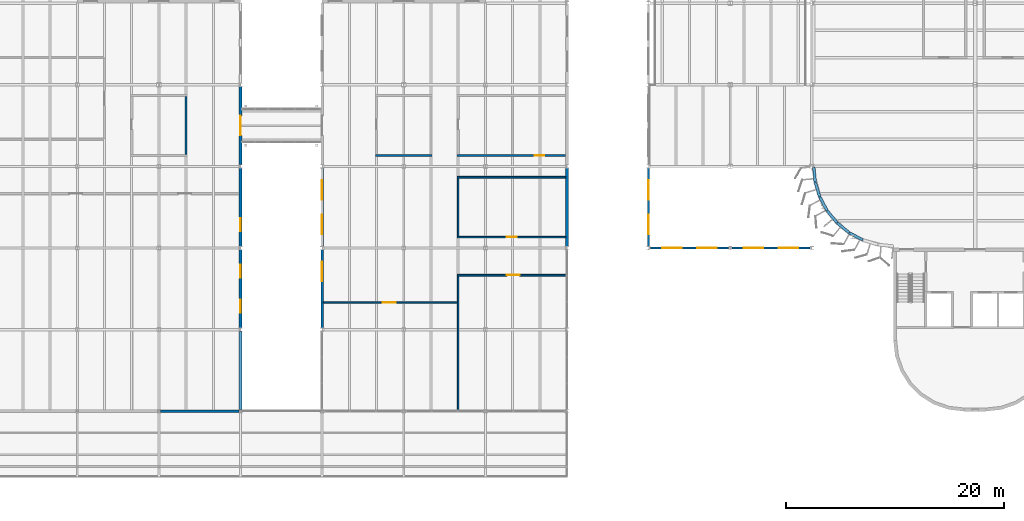
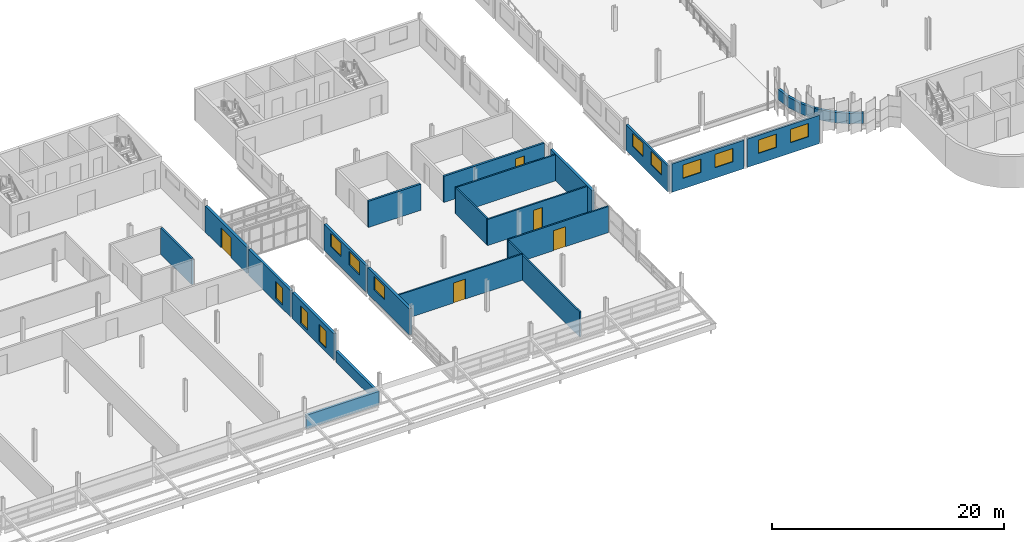
# One storey, part 72 of 214: 26 walls, 12 windows, 5 doors, 17 openings.
"""IFC4 building model written with IfcOpenShell, lengths in metres."""

from ifc_helpers import new_model, si_unit, direction, frame, frame_2d, origin, place, context, subcontext, project, spatial, rectangle, extrude, material, layer, layer_set, type_object, element, fill, save


model = new_model("IFC4")

# Units and contexts
model_context = context("Model", 3, precision=1e-05, world=origin(), true_north=direction((0.0, 1.0)))
body_context = subcontext(model_context, "Body", "Model", "MODEL_VIEW")
ifc_project = project(units=[si_unit("LENGTHUNIT", "METRE"), si_unit("AREAUNIT", "SQUARE_METRE"), si_unit("VOLUMEUNIT", "CUBIC_METRE"), si_unit("PLANEANGLEUNIT", "RADIAN"), si_unit("MASSUNIT", "GRAM", prefix="KILO")], contexts=[model_context])

# Site, building, storey
site_placement = place(None, origin())
site = spatial("IfcSite", under=ifc_project, at=site_placement, CompositionType="ELEMENT")
building_placement = place(site_placement, origin())
building = spatial("IfcBuilding", under=site, at=building_placement, Name="Parallax Yard Mobility Hub", CompositionType="ELEMENT")
storey_placement = place(building_placement, frame((0.0, 0.0, 3.300048828125)))
storey = spatial("IfcBuildingStorey", under=building, at=storey_placement, Name="L01", CompositionType="ELEMENT", Elevation=3.300048828125)

# Walls
ifc_material_1 = material(Name="Concrete fc' 35 MPa", Category="concrete")
ifc_layer_1 = layer(ifc_material_1, 0.25)
ifc_layer_set_1 = layer_set([ifc_layer_1], Name="Deck-edge barrier wall, Concrete fc' 35 MPa precast, 250")
wall_type_1 = type_object("IfcWallType", Name="Deck-edge barrier wall, Concrete fc' 35 MPa precast, 250", PredefinedType="SOLIDWALL", material=ifc_layer_set_1)
wall_1_placement = place(storey_placement, frame((195.177978515625, 29.91796875, 0.0), z_axis=(0.0, 0.0, 1.0), x_axis=(0.097900088064, -0.995196248364, 0.0)))
element("IfcWall", 1, at=wall_1_placement, inside=storey, type_object=wall_type_1, Name="Deck-edge barrier wall bay 30-1 level L01", PredefinedType="SOLIDWALL", context=body_context, shape_type="SweptSolid", body=[
    extrude(rectangle(XDim=1.341552734375, YDim=0.25, at=frame_2d((0.6708984375, 0.0))), origin(), (0.0, 0.0, 1.0), 1.099853515625),
])
for number, where, z_axis, x_axis, name in (
    (2, (195.314208984375, 28.55810546875, 0.0), (0.0, 0.0, 1.0), (0.29031469913, -0.956931228182, 0.0), "Deck-edge barrier wall bay 30-2 level L01"),
    (3, (195.7333984375, 27.1845703125, 0.0), (0.0, 0.0, 1.0), (0.471270543536, -0.88198870446, 0.0), "Deck-edge barrier wall bay 30-3 level L01"),
    (4, (196.41259765625, 25.919189453125, 0.0), (0.0, 0.0, 1.0), (0.634123039097, -0.773232158725, 0.0), "Deck-edge barrier wall bay 30-4 level L01"),
    (5, (197.3251953125, 24.810302734375, 0.0), (0.0, 0.0, 1.0), (0.772838376531, -0.634602902421, 0.0), "Deck-edge barrier wall bay 30-5 level L01"),
    (6, (198.4365234375, 23.90087890625, 0.0), (0.0, 0.0, 1.0), (0.881806393936, -0.471611581297, 0.0), "Deck-edge barrier wall bay 30-6 level L01"),
):
    element("IfcWall", number, at=place(storey_placement, frame(where, z_axis=z_axis, x_axis=x_axis)), inside=storey, type_object=wall_type_1, Name=name, PredefinedType="SOLIDWALL", context=body_context, shape_type="SweptSolid", body=[
        extrude(rectangle(XDim=1.4111328125, YDim=0.25, at=frame_2d((0.70556640625, 0.0))), origin(), (0.0, 0.0, 1.0), 1.099853515625),
    ])
ifc_layer_2 = layer(ifc_material_1, 0.25)
ifc_layer_set_2 = layer_set([ifc_layer_2], Name="Exterior wall, Concrete fc' 35 MPa precast, 250 with insulation lining")
wall_type_2 = type_object("IfcWallType", Name="Exterior wall, Concrete fc' 35 MPa precast, 250 with insulation lining", PredefinedType="SOLIDWALL", material=ifc_layer_set_2)
wall_2_placement = place(storey_placement, frame((172.5, 22.653564453125, 0.0), z_axis=(0.0, 0.0, 1.0), x_axis=(0.0, 1.0, 0.0)))
element("IfcWall", 7, at=wall_2_placement, inside=storey, type_object=wall_type_2, Name="Bicycle and shared-mobility hall east wall bay 3 level L01", PredefinedType="SOLIDWALL", context=body_context, shape_type="SweptSolid", body=[
    extrude(rectangle(XDim=7.19287109375, YDim=0.25, at=frame_2d((3.596435546875, 0.0))), origin(), (0.0, 0.0, 1.0), 2.7509765625),
])

# Wall, opening, window
wall_3_placement = place(storey_placement, frame((150.0, 15.153564453125, 0.0), z_axis=(0.0, 0.0, 1.0), x_axis=(0.0, 1.0, 0.0)))
wall_3 = element("IfcWall", 8, at=wall_3_placement, inside=storey, type_object=wall_type_2, Name="Bicycle and shared-mobility hall west wall bay 2 level L01", PredefinedType="SOLIDWALL", context=body_context, shape_type="SweptSolid", body=[
    extrude(rectangle(XDim=7.19287109375, YDim=0.25, at=frame_2d((3.596435546875, 0.0))), origin(), (0.0, 0.0, 1.0), 2.7509765625),
])
opening_1_placement = place(wall_3_placement, frame((4.29541015625, 0.0, 1.10009765625)))
opening_1 = element("IfcOpeningElement", 9, at=opening_1_placement, cuts=wall_3, Name="Opening LV2", PredefinedType="OPENING", context=body_context, shape_type="SweptSolid", body=[
    extrude(rectangle(XDim=1.800048828125, YDim=1.39990234375, at=frame_2d((0.89990234375, 0.699951171875))), frame((0.0, 0.135009765625, 0.0), z_axis=(0.0, -1.0, 0.0), x_axis=(1.0, 0.0, 0.0)), (0.0, 0.0, 1.0), 0.27001953125),
])
ifc_material_2 = material(Name="Extruded aluminium storm louvre blades in a powder-coated frame", Category="aluminium")
window_type_1 = type_object("IfcWindowType", Name="Screen louvre 1800 x 1400", PartitioningType="SINGLE_PANEL", PredefinedType="WINDOW", material=ifc_material_2)
window_1_placement = place(opening_1_placement, origin())
window_1 = element("IfcWindow", 10, at=window_1_placement, inside=storey, type_object=window_type_1, Name="LV2 louvre level L01", OverallHeight=1.39990234375, OverallWidth=1.800048828125, PartitioningType="SINGLE_PANEL", PredefinedType="WINDOW", context=body_context, shape_type="SweptSolid", body=[
    extrude(rectangle(XDim=1.800048828125, YDim=1.39990234375, at=frame_2d((0.89990234375, 0.699951171875))), frame((0.0, 0.030029296875, 0.0), z_axis=(0.0, -1.0, 0.0), x_axis=(1.0, 0.0, 0.0)), (0.0, 0.0, 1.0), 0.06005859375),
])
fill(opening_1, window_1)

# Wall, openings, windows
wall_4_placement = place(storey_placement, frame((150.0, 22.653564453125, 0.0), z_axis=(0.0, 0.0, 1.0), x_axis=(0.0, 1.0, 0.0)))
wall_4 = element("IfcWall", 11, at=wall_4_placement, inside=storey, type_object=wall_type_2, Name="Bicycle and shared-mobility hall west wall bay 3 level L01", PredefinedType="SOLIDWALL", context=body_context, shape_type="SweptSolid", body=[
    extrude(rectangle(XDim=7.19287109375, YDim=0.25, at=frame_2d((3.596435546875, 0.0))), origin(), (0.0, 0.0, 1.0), 2.7509765625),
])
opening_2_placement = place(wall_4_placement, frame((1.09765625, 0.0, 1.10009765625)))
opening_2 = element("IfcOpeningElement", 12, at=opening_2_placement, cuts=wall_4, Name="Opening LV2", PredefinedType="OPENING", context=body_context, shape_type="SweptSolid", body=[
    extrude(rectangle(XDim=1.800048828125, YDim=1.39990234375, at=frame_2d((0.89990234375, 0.699951171875))), frame((0.0, 0.135009765625, 0.0), z_axis=(0.0, -1.0, 0.0), x_axis=(1.0, 0.0, 0.0)), (0.0, 0.0, 1.0), 0.27001953125),
])
opening_3_placement = place(wall_4_placement, frame((4.29541015625, 0.0, 1.10009765625)))
opening_3 = element("IfcOpeningElement", 13, at=opening_3_placement, cuts=wall_4, Name="Opening LV2", PredefinedType="OPENING", context=body_context, shape_type="SweptSolid", body=[
    extrude(rectangle(XDim=1.800048828125, YDim=1.39990234375, at=frame_2d((0.89990234375, 0.699951171875))), frame((0.0, 0.135009765625, 0.0), z_axis=(0.0, -1.0, 0.0), x_axis=(1.0, 0.0, 0.0)), (0.0, 0.0, 1.0), 0.27001953125),
])
window_2_placement = place(opening_2_placement, origin())
window_2 = element("IfcWindow", 14, at=window_2_placement, inside=storey, type_object=window_type_1, Name="LV2 louvre level L01", OverallHeight=1.39990234375, OverallWidth=1.800048828125, PartitioningType="SINGLE_PANEL", PredefinedType="WINDOW", context=body_context, shape_type="SweptSolid", body=[
    extrude(rectangle(XDim=1.800048828125, YDim=1.39990234375, at=frame_2d((0.89990234375, 0.699951171875))), frame((0.0, 0.030029296875, 0.0), z_axis=(0.0, -1.0, 0.0), x_axis=(1.0, 0.0, 0.0)), (0.0, 0.0, 1.0), 0.06005859375),
])
fill(opening_2, window_2)
window_3_placement = place(opening_3_placement, origin())
window_3 = element("IfcWindow", 15, at=window_3_placement, inside=storey, type_object=window_type_1, Name="LV2 louvre level L01", OverallHeight=1.39990234375, OverallWidth=1.800048828125, PartitioningType="SINGLE_PANEL", PredefinedType="WINDOW", context=body_context, shape_type="SweptSolid", body=[
    extrude(rectangle(XDim=1.800048828125, YDim=1.39990234375, at=frame_2d((0.89990234375, 0.699951171875))), frame((0.0, 0.030029296875, 0.0), z_axis=(0.0, -1.0, 0.0), x_axis=(1.0, 0.0, 0.0)), (0.0, 0.0, 1.0), 0.06005859375),
])
fill(opening_3, window_3)

# Walls
wall_5_placement = place(storey_placement, frame((135.153564453125, 7.5, 0.0), z_axis=(0.0, 0.0, 1.0), x_axis=(1.0, 0.0, 0.0)))
element("IfcWall", 16, at=wall_5_placement, inside=storey, type_object=wall_type_2, Name="Mobility service centre and workshops south wall bay 6 level L01", PredefinedType="SOLIDWALL", context=body_context, shape_type="SweptSolid", body=[
    extrude(rectangle(XDim=7.19287109375, YDim=0.25, at=frame_2d((3.596435546875, 0.0))), origin(), (0.0, 0.0, 1.0), 1.4404296875),
])
wall_6_placement = place(storey_placement, frame((142.5, 7.653564453125, 0.0), z_axis=(0.0, 0.0, 1.0), x_axis=(0.0, 1.0, 0.0)))
element("IfcWall", 17, at=wall_6_placement, inside=storey, type_object=wall_type_2, Name="Mobility service centre and workshops east wall bay 1 level L01", PredefinedType="SOLIDWALL", context=body_context, shape_type="SweptSolid", body=[
    extrude(rectangle(XDim=7.19287109375, YDim=0.25, at=frame_2d((3.596435546875, 0.0))), origin(), (0.0, 0.0, 1.0), 1.15625),
])

# Wall, openings, windows
wall_7_placement = place(storey_placement, frame((142.5, 15.153564453125, 0.0), z_axis=(0.0, 0.0, 1.0), x_axis=(0.0, 1.0, 0.0)))
wall_7 = element("IfcWall", 18, at=wall_7_placement, inside=storey, type_object=wall_type_2, Name="Mobility service centre and workshops east wall bay 2 level L01", PredefinedType="SOLIDWALL", context=body_context, shape_type="SweptSolid", body=[
    extrude(rectangle(XDim=7.19287109375, YDim=0.25, at=frame_2d((3.596435546875, 0.0))), origin(), (0.0, 0.0, 1.0), 2.7509765625),
])
opening_4_placement = place(wall_7_placement, frame((1.397705078125, 0.0, 0.39990234375)))
opening_4 = element("IfcOpeningElement", 19, at=opening_4_placement, cuts=wall_7, Name="Opening LV7", PredefinedType="OPENING", context=body_context, shape_type="SweptSolid", body=[
    extrude(rectangle(XDim=1.199951171875, YDim=1.800048828125, at=frame_2d((0.60009765625, 0.89990234375))), frame((0.0, 0.135009765625, 0.0), z_axis=(0.0, -1.0, 0.0), x_axis=(1.0, 0.0, 0.0)), (0.0, 0.0, 1.0), 0.27001953125),
])
opening_5_placement = place(wall_7_placement, frame((4.59521484375, 0.0, 0.39990234375)))
opening_5 = element("IfcOpeningElement", 20, at=opening_5_placement, cuts=wall_7, Name="Opening LV7", PredefinedType="OPENING", context=body_context, shape_type="SweptSolid", body=[
    extrude(rectangle(XDim=1.199951171875, YDim=1.800048828125, at=frame_2d((0.60009765625, 0.89990234375))), frame((0.0, 0.135009765625, 0.0), z_axis=(0.0, -1.0, 0.0), x_axis=(1.0, 0.0, 0.0)), (0.0, 0.0, 1.0), 0.27001953125),
])
window_type_2 = type_object("IfcWindowType", Name="Store louvre 1200 x 1800", PartitioningType="SINGLE_PANEL", PredefinedType="WINDOW", material=ifc_material_2)
window_4_placement = place(opening_4_placement, origin())
window_4 = element("IfcWindow", 21, at=window_4_placement, inside=storey, type_object=window_type_2, Name="LV7 louvre level L01", OverallHeight=1.800048828125, OverallWidth=1.199951171875, PartitioningType="SINGLE_PANEL", PredefinedType="WINDOW", context=body_context, shape_type="SweptSolid", body=[
    extrude(rectangle(XDim=1.199951171875, YDim=1.800048828125, at=frame_2d((0.60009765625, 0.89990234375))), frame((0.0, 0.030029296875, 0.0), z_axis=(0.0, -1.0, 0.0), x_axis=(1.0, 0.0, 0.0)), (0.0, 0.0, 1.0), 0.06005859375),
])
fill(opening_4, window_4)
window_5_placement = place(opening_5_placement, origin())
window_5 = element("IfcWindow", 22, at=window_5_placement, inside=storey, type_object=window_type_2, Name="LV7 louvre level L01", OverallHeight=1.800048828125, OverallWidth=1.199951171875, PartitioningType="SINGLE_PANEL", PredefinedType="WINDOW", context=body_context, shape_type="SweptSolid", body=[
    extrude(rectangle(XDim=1.199951171875, YDim=1.800048828125, at=frame_2d((0.60009765625, 0.89990234375))), frame((0.0, 0.030029296875, 0.0), z_axis=(0.0, -1.0, 0.0), x_axis=(1.0, 0.0, 0.0)), (0.0, 0.0, 1.0), 0.06005859375),
])
fill(opening_5, window_5)

# Wall, opening, window
wall_8_placement = place(storey_placement, frame((142.5, 22.653564453125, 0.0), z_axis=(0.0, 0.0, 1.0), x_axis=(0.0, 1.0, 0.0)))
wall_8 = element("IfcWall", 23, at=wall_8_placement, inside=storey, type_object=wall_type_2, Name="Mobility service centre and workshops east wall bay 3 level L01", PredefinedType="SOLIDWALL", context=body_context, shape_type="SweptSolid", body=[
    extrude(rectangle(XDim=7.19287109375, YDim=0.25, at=frame_2d((3.596435546875, 0.0))), origin(), (0.0, 0.0, 1.0), 2.7509765625),
])
opening_6_placement = place(wall_8_placement, frame((1.397705078125, 0.0, 0.39990234375)))
opening_6 = element("IfcOpeningElement", 24, at=opening_6_placement, cuts=wall_8, Name="Opening LV7", PredefinedType="OPENING", context=body_context, shape_type="SweptSolid", body=[
    extrude(rectangle(XDim=1.199951171875, YDim=1.800048828125, at=frame_2d((0.60009765625, 0.89990234375))), frame((0.0, 0.135009765625, 0.0), z_axis=(0.0, -1.0, 0.0), x_axis=(1.0, 0.0, 0.0)), (0.0, 0.0, 1.0), 0.27001953125),
])
window_6_placement = place(opening_6_placement, origin())
window_6 = element("IfcWindow", 25, at=window_6_placement, inside=storey, type_object=window_type_2, Name="LV7 louvre level L01", OverallHeight=1.800048828125, OverallWidth=1.199951171875, PartitioningType="SINGLE_PANEL", PredefinedType="WINDOW", context=body_context, shape_type="SweptSolid", body=[
    extrude(rectangle(XDim=1.199951171875, YDim=1.800048828125, at=frame_2d((0.60009765625, 0.89990234375))), frame((0.0, 0.030029296875, 0.0), z_axis=(0.0, -1.0, 0.0), x_axis=(1.0, 0.0, 0.0)), (0.0, 0.0, 1.0), 0.06005859375),
])
fill(opening_6, window_6)

# Wall, opening, door
wall_9_placement = place(storey_placement, frame((142.5, 30.153564453125, 0.0), z_axis=(0.0, 0.0, 1.0), x_axis=(0.0, 1.0, 0.0)))
wall_9 = element("IfcWall", 26, at=wall_9_placement, inside=storey, type_object=wall_type_2, Name="Mobility service centre and workshops east wall bay 4 level L01", PredefinedType="SOLIDWALL", context=body_context, shape_type="SweptSolid", body=[
    extrude(rectangle(XDim=7.1875, YDim=0.25, at=frame_2d((3.59375, 0.0))), origin(), (0.0, 0.0, 1.0), 2.7509765625),
])
opening_7_placement = place(wall_9_placement, frame((2.696533203125, 0.0, 0.0)))
opening_7 = element("IfcOpeningElement", 27, at=opening_7_placement, cuts=wall_9, Name="Opening L01-D104", PredefinedType="OPENING", context=body_context, shape_type="SweptSolid", body=[
    extrude(rectangle(XDim=1.800048828125, YDim=2.10009765625, at=frame_2d((0.89990234375, 1.050048828125))), frame((0.0, 0.135009765625, 0.0), z_axis=(0.0, -1.0, 0.0), x_axis=(1.0, 0.0, 0.0)), (0.0, 0.0, 1.0), 0.27001953125),
])
ifc_material_3 = material(Name="Aluminium frame with laminated glass leaves", Category="aluminium")
door_type_1 = type_object("IfcDoorType", Name="Bridge door double 1800 x 2100", OperationType="DOUBLE_DOOR_SINGLE_SWING", PredefinedType="DOOR", material=ifc_material_3)
door_1_placement = place(opening_7_placement, origin())
door_1 = element("IfcDoor", 28, at=door_1_placement, inside=storey, type_object=door_type_1, Name="Bridge door L01-D104", OperationType="DOUBLE_DOOR_SINGLE_SWING", OverallHeight=2.10009765625, OverallWidth=1.800048828125, PredefinedType="DOOR", context=body_context, shape_type="SweptSolid", body=[
    extrude(rectangle(XDim=1.800048828125, YDim=2.10009765625, at=frame_2d((0.89990234375, 1.050048828125))), frame((0.0, 0.02490234375, 0.0), z_axis=(0.0, -1.0, 0.0), x_axis=(1.0, 0.0, 0.0)), (0.0, 0.0, 1.0), 0.050048828125),
])
fill(opening_7, door_1)

# Wall
ifc_material_4 = material(Name="Fire-rated plasterboard partition, two layers each side")
ifc_layer_3 = layer(ifc_material_4, 0.199951171875)
ifc_layer_set_3 = layer_set([ifc_layer_3], Name="Fire-rated partition 200 mm")
wall_type_3 = type_object("IfcWallType", Name="Fire-rated partition 200 mm", PredefinedType="PARTITIONING", material=ifc_layer_set_3)
wall_10_placement = place(storey_placement, frame((154.89990234375, 31.0, 0.0), z_axis=(0.0, 0.0, 1.0), x_axis=(1.0, 0.0, 0.0)))
element("IfcWall", 29, at=wall_10_placement, inside=storey, type_object=wall_type_3, Name="Partition 15 level L01", PredefinedType="PARTITIONING", context=body_context, shape_type="SweptSolid", body=[
    extrude(rectangle(XDim=5.2001953125, YDim=0.199951171875, at=frame_2d((2.60009765625, 0.0))), origin(), (0.0, 0.0, 1.0), 2.7509765625),
])

# Wall, opening, door
wall_11_placement = place(storey_placement, frame((162.39990234375, 31.0, 0.0), z_axis=(0.0, 0.0, 1.0), x_axis=(1.0, 0.0, 0.0)))
wall_11 = element("IfcWall", 30, at=wall_11_placement, inside=storey, type_object=wall_type_3, Name="Partition 16 level L01", PredefinedType="PARTITIONING", context=body_context, shape_type="SweptSolid", body=[
    extrude(rectangle(XDim=9.97509765625, YDim=0.199951171875, at=frame_2d((4.987548828125, 0.0))), origin(), (0.0, 0.0, 1.0), 2.7509765625),
])
opening_8_placement = place(wall_11_placement, frame((7.125244140625, 0.0, 0.0)))
opening_8 = element("IfcOpeningElement", 31, at=opening_8_placement, cuts=wall_11, Name="Opening L01-D211", PredefinedType="OPENING", context=body_context, shape_type="SweptSolid", body=[
    extrude(rectangle(XDim=0.89990234375, YDim=2.10009765625, at=frame_2d((0.449951171875, 1.050048828125))), frame((0.0, 0.10986328125, 0.0), z_axis=(0.0, -1.0, 0.0), x_axis=(1.0, 0.0, 0.0)), (0.0, 0.0, 1.0), 0.219970703125),
])
ifc_material_5 = material(Name="Hollow metal fire door leaf with intumescent seals")
door_type_2 = type_object("IfcDoorType", Name="Fire door 900 mm FD60", OperationType="NOTDEFINED", PredefinedType="DOOR", material=ifc_material_5)
door_2_placement = place(opening_8_placement, origin())
door_2 = element("IfcDoor", 32, at=door_2_placement, inside=storey, type_object=door_type_2, Name="Door L01-D211 Women's WC", OperationType="SINGLE_SWING_RIGHT", OverallHeight=2.10009765625, OverallWidth=0.89990234375, PredefinedType="DOOR", context=body_context, shape_type="SweptSolid", body=[
    extrude(rectangle(XDim=0.89990234375, YDim=2.10009765625, at=frame_2d((0.449951171875, 1.050048828125))), frame((0.0, 0.02490234375, 0.0), z_axis=(0.0, -1.0, 0.0), x_axis=(1.0, 0.0, 0.0)), (0.0, 0.0, 1.0), 0.050048828125),
])
fill(opening_8, door_2)

# Wall
wall_12_placement = place(storey_placement, frame((137.5, 31.10009765625, 0.0), z_axis=(0.0, 0.0, 1.0), x_axis=(0.0, 1.0, 0.0)))
element("IfcWall", 33, at=wall_12_placement, inside=storey, type_object=wall_type_3, Name="Partition 63 level L01", PredefinedType="PARTITIONING", context=body_context, shape_type="SweptSolid", body=[
    extrude(rectangle(XDim=5.2998046875, YDim=0.199951171875, at=frame_2d((2.64990234375, 0.0))), origin(), (0.0, 0.0, 1.0), 2.75390625),
])

# Wall, openings, windows
ifc_layer_4 = layer(ifc_material_1, 0.199951171875)
ifc_layer_set_4 = layer_set([ifc_layer_4], Name="Louvre screen wall, Concrete fc' 35 MPa precast, 200")
wall_type_4 = type_object("IfcWallType", Name="Louvre screen wall, Concrete fc' 35 MPa precast, 200", PredefinedType="SOLIDWALL", material=ifc_layer_set_4)
wall_13_placement = place(storey_placement, frame((180.0, 22.653564453125, 0.0), z_axis=(0.0, 0.0, 1.0), x_axis=(0.0, 1.0, 0.0)))
wall_13 = element("IfcWall", 34, at=wall_13_placement, inside=storey, type_object=wall_type_4, Name="Ramp house west wall bay 1 level L01", PredefinedType="SOLIDWALL", context=body_context, shape_type="SweptSolid", body=[
    extrude(rectangle(XDim=7.19287109375, YDim=0.199951171875, at=frame_2d((3.596435546875, 0.0))), origin(), (0.0, 0.0, 1.0), 2.7099609375),
])
opening_9_placement = place(wall_13_placement, frame((1.09765625, 0.0, 1.10009765625)))
opening_9 = element("IfcOpeningElement", 35, at=opening_9_placement, cuts=wall_13, Name="Opening LV2", PredefinedType="OPENING", context=body_context, shape_type="SweptSolid", body=[
    extrude(rectangle(XDim=1.800048828125, YDim=1.39990234375, at=frame_2d((0.89990234375, 0.699951171875))), frame((0.0, 0.10986328125, 0.0), z_axis=(0.0, -1.0, 0.0), x_axis=(1.0, 0.0, 0.0)), (0.0, 0.0, 1.0), 0.219970703125),
])
opening_10_placement = place(wall_13_placement, frame((4.29541015625, 0.0, 1.10009765625)))
opening_10 = element("IfcOpeningElement", 36, at=opening_10_placement, cuts=wall_13, Name="Opening LV2", PredefinedType="OPENING", context=body_context, shape_type="SweptSolid", body=[
    extrude(rectangle(XDim=1.800048828125, YDim=1.39990234375, at=frame_2d((0.89990234375, 0.699951171875))), frame((0.0, 0.10986328125, 0.0), z_axis=(0.0, -1.0, 0.0), x_axis=(1.0, 0.0, 0.0)), (0.0, 0.0, 1.0), 0.219970703125),
])
window_7_placement = place(opening_9_placement, origin())
window_7 = element("IfcWindow", 37, at=window_7_placement, inside=storey, type_object=window_type_1, Name="LV2 louvre level L01", OverallHeight=1.39990234375, OverallWidth=1.800048828125, PartitioningType="SINGLE_PANEL", PredefinedType="WINDOW", context=body_context, shape_type="SweptSolid", body=[
    extrude(rectangle(XDim=1.800048828125, YDim=1.39990234375, at=frame_2d((0.89990234375, 0.699951171875))), frame((0.0, 0.030029296875, 0.0), z_axis=(0.0, -1.0, 0.0), x_axis=(1.0, 0.0, 0.0)), (0.0, 0.0, 1.0), 0.06005859375),
])
fill(opening_9, window_7)
window_8_placement = place(opening_10_placement, origin())
window_8 = element("IfcWindow", 38, at=window_8_placement, inside=storey, type_object=window_type_1, Name="LV2 louvre level L01", OverallHeight=1.39990234375, OverallWidth=1.800048828125, PartitioningType="SINGLE_PANEL", PredefinedType="WINDOW", context=body_context, shape_type="SweptSolid", body=[
    extrude(rectangle(XDim=1.800048828125, YDim=1.39990234375, at=frame_2d((0.89990234375, 0.699951171875))), frame((0.0, 0.030029296875, 0.0), z_axis=(0.0, -1.0, 0.0), x_axis=(1.0, 0.0, 0.0)), (0.0, 0.0, 1.0), 0.06005859375),
])
fill(opening_10, window_8)

wall_14_placement = place(storey_placement, frame((180.153564453125, 22.5, 0.0), z_axis=(0.0, 0.0, 1.0), x_axis=(1.0, 0.0, 0.0)))
wall_14 = element("IfcWall", 39, at=wall_14_placement, inside=storey, type_object=wall_type_4, Name="Ramp house south wall bay 1 level L01", PredefinedType="SOLIDWALL", context=body_context, shape_type="SweptSolid", body=[
    extrude(rectangle(XDim=7.19287109375, YDim=0.199951171875, at=frame_2d((3.596435546875, 0.0))), origin(), (0.0, 0.0, 1.0), 2.989990234375),
])
opening_11_placement = place(wall_14_placement, frame((1.09765625, 0.0, 1.10009765625)))
opening_11 = element("IfcOpeningElement", 40, at=opening_11_placement, cuts=wall_14, Name="Opening LV2", PredefinedType="OPENING", context=body_context, shape_type="SweptSolid", body=[
    extrude(rectangle(XDim=1.800048828125, YDim=1.39990234375, at=frame_2d((0.89990234375, 0.699951171875))), frame((0.0, 0.10986328125, 0.0), z_axis=(0.0, -1.0, 0.0), x_axis=(1.0, 0.0, 0.0)), (0.0, 0.0, 1.0), 0.219970703125),
])
opening_12_placement = place(wall_14_placement, frame((4.29541015625, 0.0, 1.10009765625)))
opening_12 = element("IfcOpeningElement", 41, at=opening_12_placement, cuts=wall_14, Name="Opening LV2", PredefinedType="OPENING", context=body_context, shape_type="SweptSolid", body=[
    extrude(rectangle(XDim=1.800048828125, YDim=1.39990234375, at=frame_2d((0.89990234375, 0.699951171875))), frame((0.0, 0.10986328125, 0.0), z_axis=(0.0, -1.0, 0.0), x_axis=(1.0, 0.0, 0.0)), (0.0, 0.0, 1.0), 0.219970703125),
])
window_9_placement = place(opening_11_placement, origin())
window_9 = element("IfcWindow", 42, at=window_9_placement, inside=storey, type_object=window_type_1, Name="LV2 louvre level L01", OverallHeight=1.39990234375, OverallWidth=1.800048828125, PartitioningType="SINGLE_PANEL", PredefinedType="WINDOW", context=body_context, shape_type="SweptSolid", body=[
    extrude(rectangle(XDim=1.800048828125, YDim=1.39990234375, at=frame_2d((0.89990234375, 0.699951171875))), frame((0.0, 0.030029296875, 0.0), z_axis=(0.0, -1.0, 0.0), x_axis=(1.0, 0.0, 0.0)), (0.0, 0.0, 1.0), 0.06005859375),
])
fill(opening_11, window_9)
window_10_placement = place(opening_12_placement, origin())
window_10 = element("IfcWindow", 43, at=window_10_placement, inside=storey, type_object=window_type_1, Name="LV2 louvre level L01", OverallHeight=1.39990234375, OverallWidth=1.800048828125, PartitioningType="SINGLE_PANEL", PredefinedType="WINDOW", context=body_context, shape_type="SweptSolid", body=[
    extrude(rectangle(XDim=1.800048828125, YDim=1.39990234375, at=frame_2d((0.89990234375, 0.699951171875))), frame((0.0, 0.030029296875, 0.0), z_axis=(0.0, -1.0, 0.0), x_axis=(1.0, 0.0, 0.0)), (0.0, 0.0, 1.0), 0.06005859375),
])
fill(opening_12, window_10)

wall_15_placement = place(storey_placement, frame((187.653564453125, 22.5, 0.0), z_axis=(0.0, 0.0, 1.0), x_axis=(1.0, 0.0, 0.0)))
wall_15 = element("IfcWall", 44, at=wall_15_placement, inside=storey, type_object=wall_type_4, Name="Ramp house south wall bay 2 level L01", PredefinedType="SOLIDWALL", context=body_context, shape_type="SweptSolid", body=[
    extrude(rectangle(XDim=7.19287109375, YDim=0.199951171875, at=frame_2d((3.596435546875, 0.0))), origin(), (0.0, 0.0, 1.0), 2.989990234375),
])
opening_13_placement = place(wall_15_placement, frame((1.09765625, 0.0, 1.10009765625)))
opening_13 = element("IfcOpeningElement", 45, at=opening_13_placement, cuts=wall_15, Name="Opening LV2", PredefinedType="OPENING", context=body_context, shape_type="SweptSolid", body=[
    extrude(rectangle(XDim=1.800048828125, YDim=1.39990234375, at=frame_2d((0.89990234375, 0.699951171875))), frame((0.0, 0.10986328125, 0.0), z_axis=(0.0, -1.0, 0.0), x_axis=(1.0, 0.0, 0.0)), (0.0, 0.0, 1.0), 0.219970703125),
])
opening_14_placement = place(wall_15_placement, frame((4.29541015625, 0.0, 1.10009765625)))
opening_14 = element("IfcOpeningElement", 46, at=opening_14_placement, cuts=wall_15, Name="Opening LV2", PredefinedType="OPENING", context=body_context, shape_type="SweptSolid", body=[
    extrude(rectangle(XDim=1.800048828125, YDim=1.39990234375, at=frame_2d((0.89990234375, 0.699951171875))), frame((0.0, 0.10986328125, 0.0), z_axis=(0.0, -1.0, 0.0), x_axis=(1.0, 0.0, 0.0)), (0.0, 0.0, 1.0), 0.219970703125),
])
window_11_placement = place(opening_13_placement, origin())
window_11 = element("IfcWindow", 47, at=window_11_placement, inside=storey, type_object=window_type_1, Name="LV2 louvre level L01", OverallHeight=1.39990234375, OverallWidth=1.800048828125, PartitioningType="SINGLE_PANEL", PredefinedType="WINDOW", context=body_context, shape_type="SweptSolid", body=[
    extrude(rectangle(XDim=1.800048828125, YDim=1.39990234375, at=frame_2d((0.89990234375, 0.699951171875))), frame((0.0, 0.030029296875, 0.0), z_axis=(0.0, -1.0, 0.0), x_axis=(1.0, 0.0, 0.0)), (0.0, 0.0, 1.0), 0.06005859375),
])
fill(opening_13, window_11)
window_12_placement = place(opening_14_placement, origin())
window_12 = element("IfcWindow", 48, at=window_12_placement, inside=storey, type_object=window_type_1, Name="LV2 louvre level L01", OverallHeight=1.39990234375, OverallWidth=1.800048828125, PartitioningType="SINGLE_PANEL", PredefinedType="WINDOW", context=body_context, shape_type="SweptSolid", body=[
    extrude(rectangle(XDim=1.800048828125, YDim=1.39990234375, at=frame_2d((0.89990234375, 0.699951171875))), frame((0.0, 0.030029296875, 0.0), z_axis=(0.0, -1.0, 0.0), x_axis=(1.0, 0.0, 0.0)), (0.0, 0.0, 1.0), 0.06005859375),
])
fill(opening_14, window_12)

# Wall, opening, door
ifc_material_6 = material(Name="Plasterboard partition on light framing")
ifc_layer_5 = layer(ifc_material_6, 0.14990234375)
ifc_layer_set_5 = layer_set([ifc_layer_5], Name="Partition 150 mm")
wall_type_5 = type_object("IfcWallType", Name="Partition 150 mm", PredefinedType="PARTITIONING", material=ifc_layer_set_5)
wall_16_placement = place(storey_placement, frame((150.125, 17.5, 0.0), z_axis=(0.0, 0.0, 1.0), x_axis=(1.0, 0.0, 0.0)))
wall_16 = element("IfcWall", 49, at=wall_16_placement, inside=storey, type_object=wall_type_5, Name="Partition 2 level L01", PredefinedType="PARTITIONING", context=body_context, shape_type="SweptSolid", body=[
    extrude(rectangle(XDim=12.300048828125, YDim=0.14990234375, at=frame_2d((6.14990234375, 0.0))), origin(), (0.0, 0.0, 1.0), 2.7509765625),
])
opening_15_placement = place(wall_16_placement, frame((5.425048828125, 0.0, 0.0)))
opening_15 = element("IfcOpeningElement", 50, at=opening_15_placement, cuts=wall_16, Name="Opening L01-D202", PredefinedType="OPENING", context=body_context, shape_type="SweptSolid", body=[
    extrude(rectangle(XDim=1.199951171875, YDim=2.10009765625, at=frame_2d((0.60009765625, 1.050048828125))), frame((0.0, 0.0849609375, 0.0), z_axis=(0.0, -1.0, 0.0), x_axis=(1.0, 0.0, 0.0)), (0.0, 0.0, 1.0), 0.169921875),
])
ifc_material_7 = material(Name="Solid timber door leaf", Category="wood")
door_type_3 = type_object("IfcDoorType", Name="Interior door 1200 mm", OperationType="DOUBLE_DOOR_SINGLE_SWING", PredefinedType="DOOR", material=ifc_material_7)
door_3_placement = place(opening_15_placement, origin())
door_3 = element("IfcDoor", 51, at=door_3_placement, inside=storey, type_object=door_type_3, Name="Door L01-D202 Cycle Hire Counter", OperationType="DOUBLE_DOOR_SINGLE_SWING", OverallHeight=2.10009765625, OverallWidth=1.199951171875, PredefinedType="DOOR", context=body_context, shape_type="SweptSolid", body=[
    extrude(rectangle(XDim=1.199951171875, YDim=2.10009765625, at=frame_2d((0.60009765625, 1.050048828125))), frame((0.0, 0.02490234375, 0.0), z_axis=(0.0, -1.0, 0.0), x_axis=(1.0, 0.0, 0.0)), (0.0, 0.0, 1.0), 0.050048828125),
])
fill(opening_15, door_3)

wall_17_placement = place(storey_placement, frame((162.425048828125, 20.0, 0.0), z_axis=(0.0, 0.0, 1.0), x_axis=(1.0, 0.0, 0.0)))
wall_17 = element("IfcWall", 52, at=wall_17_placement, inside=storey, type_object=wall_type_5, Name="Partition 4 level L01", PredefinedType="PARTITIONING", context=body_context, shape_type="SweptSolid", body=[
    extrude(rectangle(XDim=10.0, YDim=0.14990234375, at=frame_2d((5.0, 0.0))), origin(), (0.0, 0.0, 1.0), 2.7509765625),
])
opening_16_placement = place(wall_17_placement, frame((4.550048828125, 0.0, 0.0)))
opening_16 = element("IfcOpeningElement", 53, at=opening_16_placement, cuts=wall_17, Name="Opening L01-D203", PredefinedType="OPENING", context=body_context, shape_type="SweptSolid", body=[
    extrude(rectangle(XDim=1.199951171875, YDim=2.10009765625, at=frame_2d((0.60009765625, 1.050048828125))), frame((0.0, 0.0849609375, 0.0), z_axis=(0.0, -1.0, 0.0), x_axis=(1.0, 0.0, 0.0)), (0.0, 0.0, 1.0), 0.169921875),
])
door_4_placement = place(opening_16_placement, origin())
door_4 = element("IfcDoor", 54, at=door_4_placement, inside=storey, type_object=door_type_3, Name="Door L01-D203 Lounge", OperationType="DOUBLE_DOOR_SINGLE_SWING", OverallHeight=2.10009765625, OverallWidth=1.199951171875, PredefinedType="DOOR", context=body_context, shape_type="SweptSolid", body=[
    extrude(rectangle(XDim=1.199951171875, YDim=2.10009765625, at=frame_2d((0.60009765625, 1.050048828125))), frame((0.0, 0.02490234375, 0.0), z_axis=(0.0, -1.0, 0.0), x_axis=(1.0, 0.0, 0.0)), (0.0, 0.0, 1.0), 0.050048828125),
])
fill(opening_16, door_4)

wall_18_placement = place(storey_placement, frame((162.425048828125, 23.5, 0.0), z_axis=(0.0, 0.0, 1.0), x_axis=(1.0, 0.0, 0.0)))
wall_18 = element("IfcWall", 55, at=wall_18_placement, inside=storey, type_object=wall_type_5, Name="Partition 5 level L01", PredefinedType="PARTITIONING", context=body_context, shape_type="SweptSolid", body=[
    extrude(rectangle(XDim=9.949951171875, YDim=0.14990234375, at=frame_2d((4.97509765625, 0.0))), origin(), (0.0, 0.0, 1.0), 2.7509765625),
])
opening_17_placement = place(wall_18_placement, frame((4.550048828125, 0.0, 0.0)))
opening_17 = element("IfcOpeningElement", 56, at=opening_17_placement, cuts=wall_18, Name="Opening L01-D204", PredefinedType="OPENING", context=body_context, shape_type="SweptSolid", body=[
    extrude(rectangle(XDim=0.89990234375, YDim=2.10009765625, at=frame_2d((0.449951171875, 1.050048828125))), frame((0.0, 0.0849609375, 0.0), z_axis=(0.0, -1.0, 0.0), x_axis=(1.0, 0.0, 0.0)), (0.0, 0.0, 1.0), 0.169921875),
])
door_type_4 = type_object("IfcDoorType", Name="Interior door 900 mm", OperationType="NOTDEFINED", PredefinedType="DOOR", material=ifc_material_7)
door_5_placement = place(opening_17_placement, origin())
door_5 = element("IfcDoor", 57, at=door_5_placement, inside=storey, type_object=door_type_4, Name="Door L01-D204 Staff Room", OperationType="SINGLE_SWING_LEFT", OverallHeight=2.10009765625, OverallWidth=0.89990234375, PredefinedType="DOOR", context=body_context, shape_type="SweptSolid", body=[
    extrude(rectangle(XDim=0.89990234375, YDim=2.10009765625, at=frame_2d((0.449951171875, 1.050048828125))), frame((0.0, 0.02490234375, 0.0), z_axis=(0.0, -1.0, 0.0), x_axis=(1.0, 0.0, 0.0)), (0.0, 0.0, 1.0), 0.050048828125),
])
fill(opening_17, door_5)

# Walls
wall_19_placement = place(storey_placement, frame((162.425048828125, 29.0, 0.0), z_axis=(0.0, 0.0, 1.0), x_axis=(1.0, 0.0, 0.0)))
element("IfcWall", 58, at=wall_19_placement, inside=storey, type_object=wall_type_5, Name="Partition 10 level L01", PredefinedType="PARTITIONING", context=body_context, shape_type="SweptSolid", body=[
    extrude(rectangle(XDim=9.949951171875, YDim=0.14990234375, at=frame_2d((4.97509765625, 0.0))), origin(), (0.0, 0.0, 1.0), 2.7509765625),
])
wall_20_placement = place(storey_placement, frame((162.5, 7.574951171875, 0.0), z_axis=(0.0, 0.0, 1.0), x_axis=(0.0, 1.0, 0.0)))
element("IfcWall", 59, at=wall_20_placement, inside=storey, type_object=wall_type_5, Name="Partition 69 level L01", PredefinedType="PARTITIONING", context=body_context, shape_type="SweptSolid", body=[
    extrude(rectangle(XDim=12.35009765625, YDim=0.14990234375, at=frame_2d((6.175048828125, 0.0))), origin(), (0.0, 0.0, 1.0), 2.626953125),
])
wall_21_placement = place(storey_placement, frame((162.5, 23.574951171875, 0.0), z_axis=(0.0, 0.0, 1.0), x_axis=(0.0, 1.0, 0.0)))
element("IfcWall", 60, at=wall_21_placement, inside=storey, type_object=wall_type_5, Name="Partition 70 level L01", PredefinedType="PARTITIONING", context=body_context, shape_type="SweptSolid", body=[
    extrude(rectangle(XDim=5.35009765625, YDim=0.14990234375, at=frame_2d((2.675048828125, 0.0))), origin(), (0.0, 0.0, 1.0), 2.75390625),
])

save(model, "model.ifc")
